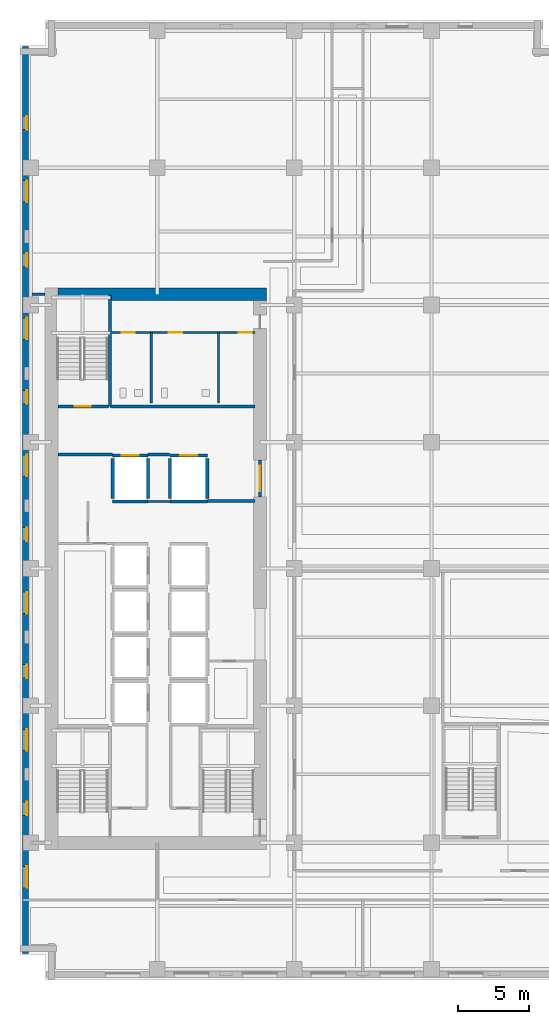
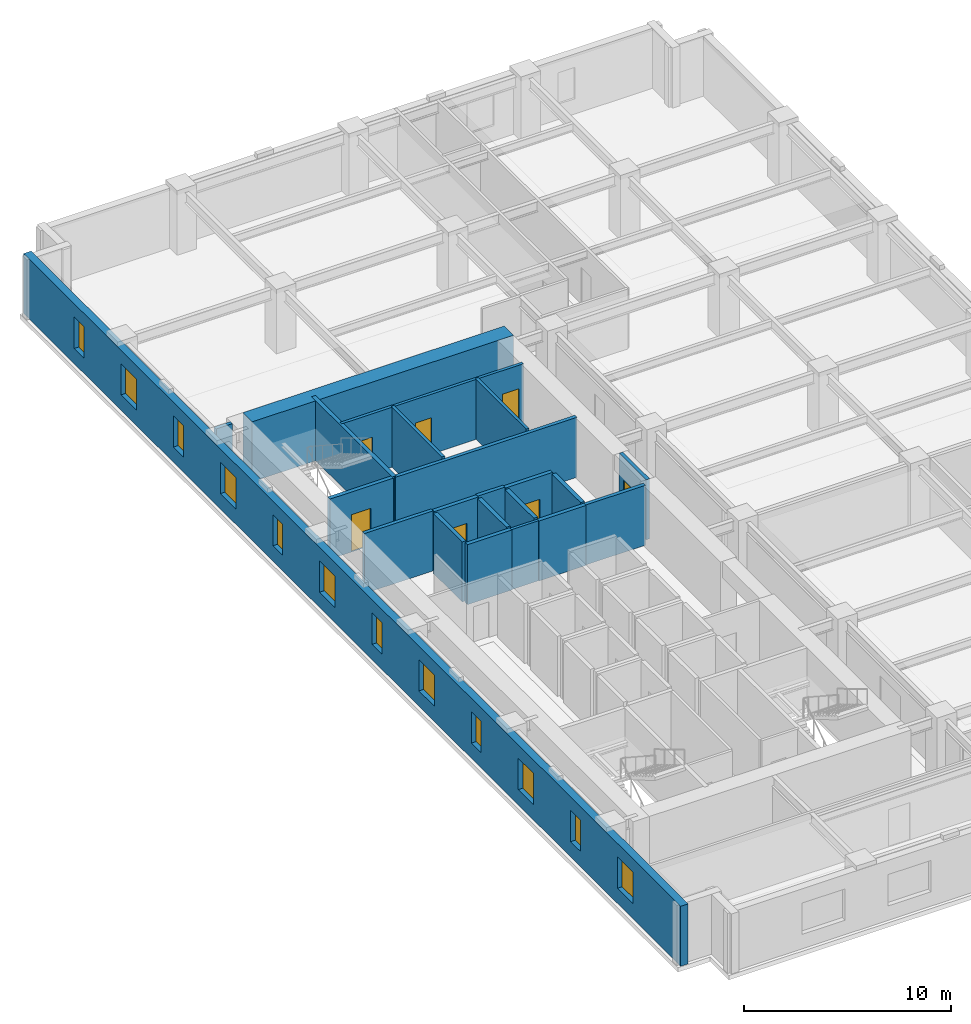
# One storey, part 6 of 13: 22 walls, 12 windows, 7 doors, 19 openings.
"""IFC4 building model written with IfcOpenShell, lengths in metres."""

from ifc_helpers import new_model, si_unit, direction, frame, frame_2d, origin, place, context, subcontext, project, spatial, rectangle, extrude, material, layer, layer_set, type_object, element, fill, save


model = new_model("IFC4")

# Units and contexts
model_context = context("Model", 3, precision=1e-05, world=origin(), true_north=direction((0.0, 1.0)))
body_context = subcontext(model_context, "Body", "Model", "MODEL_VIEW")
ifc_project = project(units=[si_unit("LENGTHUNIT", "METRE"), si_unit("AREAUNIT", "SQUARE_METRE"), si_unit("VOLUMEUNIT", "CUBIC_METRE"), si_unit("PLANEANGLEUNIT", "RADIAN"), si_unit("MASSUNIT", "GRAM", prefix="KILO")], contexts=[model_context])

# Site, building, storey
site_placement = place(None, origin())
site = spatial("IfcSite", under=ifc_project, at=site_placement, CompositionType="ELEMENT")
building_placement = place(site_placement, origin())
building = spatial("IfcBuilding", under=site, at=building_placement, Name="Norrvale University Quadrangle", CompositionType="ELEMENT")
storey_placement = place(building_placement, frame((0.0, 0.0, 66.0)))
storey = spatial("IfcBuildingStorey", under=building, at=storey_placement, Name="L16", CompositionType="ELEMENT", Elevation=66.0)

# Wall, openings, windows
ifc_material_1 = material(Name="Buff Norman Clay Brick Masonry", Category="masonry")
ifc_layer_1 = layer(ifc_material_1, 0.419921875, Name="Buff Norman Clay Brick Masonry")
ifc_layer_set_1 = layer_set([ifc_layer_1], Name="Buff Norman Clay Brick Masonry")
wall_type_1 = type_object("IfcWallType", Name="Wall Buff Brick 420", PredefinedType="SOLIDWALL", material=ifc_layer_set_1)
wall_1_placement = place(storey_placement, frame((0.389892578125, 65.360107421875, 0.0), z_axis=(0.0, 0.0, 1.0), x_axis=(0.0, -1.0, 0.0)))
wall_1 = element("IfcWall", 1, at=wall_1_placement, inside=storey, type_object=wall_type_1, Name="Exterior Brick Facade Wall L16-14.1", PredefinedType="SOLIDWALL", context=body_context, shape_type="SweptSolid", body=[
    extrude(rectangle(XDim=63.52001953125, YDim=0.419921875, at=frame_2d((31.760009765625, 0.0))), origin(), (0.0, 0.0, 1.0), 3.5400390625),
])
opening_1_placement = place(wall_1_placement, frame((4.885009765625, 0.0, 0.89990234375)))
opening_1 = element("IfcOpeningElement", 2, at=opening_1_placement, cuts=wall_1, Name="Opening W04", PredefinedType="OPENING", context=body_context, shape_type="SweptSolid", body=[
    extrude(rectangle(XDim=0.949951171875, YDim=1.85009765625, at=frame_2d((0.47509765625, 0.925048828125))), frame((0.0, 0.221923828125, 0.0), z_axis=(0.0, -1.0, 0.0), x_axis=(1.0, 0.0, 0.0)), (0.0, 0.0, 1.0), 0.44384765625),
])
opening_2_placement = place(wall_1_placement, frame((9.409912109375, 0.0, 0.89990234375)))
opening_2 = element("IfcOpeningElement", 3, at=opening_2_placement, cuts=wall_1, Name="Opening W03", PredefinedType="OPENING", context=body_context, shape_type="SweptSolid", body=[
    extrude(rectangle(XDim=1.5, YDim=1.85009765625, at=frame_2d((0.75, 0.925048828125))), frame((0.0, 0.221923828125, 0.0), z_axis=(0.0, -1.0, 0.0), x_axis=(1.0, 0.0, 0.0)), (0.0, 0.0, 1.0), 0.44384765625),
])
opening_3_placement = place(wall_1_placement, frame((14.485107421875, 0.0, 0.89990234375)))
opening_3 = element("IfcOpeningElement", 4, at=opening_3_placement, cuts=wall_1, Name="Opening W04", PredefinedType="OPENING", context=body_context, shape_type="SweptSolid", body=[
    extrude(rectangle(XDim=0.949951171875, YDim=1.85009765625, at=frame_2d((0.47509765625, 0.925048828125))), frame((0.0, 0.221923828125, 0.0), z_axis=(0.0, -1.0, 0.0), x_axis=(1.0, 0.0, 0.0)), (0.0, 0.0, 1.0), 0.44384765625),
])
opening_4_placement = place(wall_1_placement, frame((19.010009765625, 0.0, 0.89990234375)))
opening_4 = element("IfcOpeningElement", 5, at=opening_4_placement, cuts=wall_1, Name="Opening W03", PredefinedType="OPENING", context=body_context, shape_type="SweptSolid", body=[
    extrude(rectangle(XDim=1.5, YDim=1.85009765625, at=frame_2d((0.75, 0.925048828125))), frame((0.0, 0.221923828125, 0.0), z_axis=(0.0, -1.0, 0.0), x_axis=(1.0, 0.0, 0.0)), (0.0, 0.0, 1.0), 0.44384765625),
])
opening_5_placement = place(wall_1_placement, frame((24.0849609375, 0.0, 0.89990234375)))
opening_5 = element("IfcOpeningElement", 6, at=opening_5_placement, cuts=wall_1, Name="Opening W04", PredefinedType="OPENING", context=body_context, shape_type="SweptSolid", body=[
    extrude(rectangle(XDim=0.949951171875, YDim=1.85009765625, at=frame_2d((0.47509765625, 0.925048828125))), frame((0.0, 0.221923828125, 0.0), z_axis=(0.0, -1.0, 0.0), x_axis=(1.0, 0.0, 0.0)), (0.0, 0.0, 1.0), 0.44384765625),
])
opening_6_placement = place(wall_1_placement, frame((28.610107421875, 0.0, 0.89990234375)))
opening_6 = element("IfcOpeningElement", 7, at=opening_6_placement, cuts=wall_1, Name="Opening W03", PredefinedType="OPENING", context=body_context, shape_type="SweptSolid", body=[
    extrude(rectangle(XDim=1.5, YDim=1.85009765625, at=frame_2d((0.75, 0.925048828125))), frame((0.0, 0.221923828125, 0.0), z_axis=(0.0, -1.0, 0.0), x_axis=(1.0, 0.0, 0.0)), (0.0, 0.0, 1.0), 0.44384765625),
])
opening_7_placement = place(wall_1_placement, frame((33.68505859375, 0.0, 0.89990234375)))
opening_7 = element("IfcOpeningElement", 8, at=opening_7_placement, cuts=wall_1, Name="Opening W04", PredefinedType="OPENING", context=body_context, shape_type="SweptSolid", body=[
    extrude(rectangle(XDim=0.949951171875, YDim=1.85009765625, at=frame_2d((0.47509765625, 0.925048828125))), frame((0.0, 0.221923828125, 0.0), z_axis=(0.0, -1.0, 0.0), x_axis=(1.0, 0.0, 0.0)), (0.0, 0.0, 1.0), 0.44384765625),
])
opening_8_placement = place(wall_1_placement, frame((38.2099609375, 0.0, 0.89990234375)))
opening_8 = element("IfcOpeningElement", 9, at=opening_8_placement, cuts=wall_1, Name="Opening W03", PredefinedType="OPENING", context=body_context, shape_type="SweptSolid", body=[
    extrude(rectangle(XDim=1.5, YDim=1.85009765625, at=frame_2d((0.75, 0.925048828125))), frame((0.0, 0.221923828125, 0.0), z_axis=(0.0, -1.0, 0.0), x_axis=(1.0, 0.0, 0.0)), (0.0, 0.0, 1.0), 0.44384765625),
])
opening_9_placement = place(wall_1_placement, frame((43.284912109375, 0.0, 0.89990234375)))
opening_9 = element("IfcOpeningElement", 10, at=opening_9_placement, cuts=wall_1, Name="Opening W04", PredefinedType="OPENING", context=body_context, shape_type="SweptSolid", body=[
    extrude(rectangle(XDim=0.949951171875, YDim=1.85009765625, at=frame_2d((0.47509765625, 0.925048828125))), frame((0.0, 0.221923828125, 0.0), z_axis=(0.0, -1.0, 0.0), x_axis=(1.0, 0.0, 0.0)), (0.0, 0.0, 1.0), 0.44384765625),
])
opening_10_placement = place(wall_1_placement, frame((47.81005859375, 0.0, 0.89990234375)))
opening_10 = element("IfcOpeningElement", 11, at=opening_10_placement, cuts=wall_1, Name="Opening W03", PredefinedType="OPENING", context=body_context, shape_type="SweptSolid", body=[
    extrude(rectangle(XDim=1.5, YDim=1.85009765625, at=frame_2d((0.75, 0.925048828125))), frame((0.0, 0.221923828125, 0.0), z_axis=(0.0, -1.0, 0.0), x_axis=(1.0, 0.0, 0.0)), (0.0, 0.0, 1.0), 0.44384765625),
])
opening_11_placement = place(wall_1_placement, frame((52.885009765625, 0.0, 0.89990234375)))
opening_11 = element("IfcOpeningElement", 12, at=opening_11_placement, cuts=wall_1, Name="Opening W04", PredefinedType="OPENING", context=body_context, shape_type="SweptSolid", body=[
    extrude(rectangle(XDim=0.949951171875, YDim=1.85009765625, at=frame_2d((0.47509765625, 0.925048828125))), frame((0.0, 0.221923828125, 0.0), z_axis=(0.0, -1.0, 0.0), x_axis=(1.0, 0.0, 0.0)), (0.0, 0.0, 1.0), 0.44384765625),
])
opening_12_placement = place(wall_1_placement, frame((57.409912109375, 0.0, 0.89990234375)))
opening_12 = element("IfcOpeningElement", 13, at=opening_12_placement, cuts=wall_1, Name="Opening W03", PredefinedType="OPENING", context=body_context, shape_type="SweptSolid", body=[
    extrude(rectangle(XDim=1.5, YDim=1.85009765625, at=frame_2d((0.75, 0.925048828125))), frame((0.0, 0.221923828125, 0.0), z_axis=(0.0, -1.0, 0.0), x_axis=(1.0, 0.0, 0.0)), (0.0, 0.0, 1.0), 0.44384765625),
])
ifc_material_2 = material(Name="Triple Low-E Argon Glazing", Category="glass")
window_type_1 = type_object("IfcWindowType", Name="Window Narrow Pier 950x2300", PartitioningType="SINGLE_PANEL", PredefinedType="WINDOW", material=ifc_material_2)
window_1_placement = place(opening_1_placement, origin())
window_1 = element("IfcWindow", 14, at=window_1_placement, inside=storey, type_object=window_type_1, Name="Window Narrow Pier 950x2300 WIN-L16-E14-1-01", OverallHeight=1.85009765625, OverallWidth=0.949951171875, PartitioningType="SINGLE_PANEL", PredefinedType="WINDOW", context=body_context, shape_type="SweptSolid", body=[
    extrude(rectangle(XDim=0.949951171875, YDim=1.85009765625, at=frame_2d((0.47509765625, 0.925048828125))), frame((0.0, 0.110107421875, 0.0), z_axis=(0.0, -1.0, 0.0), x_axis=(1.0, 0.0, 0.0)), (0.0, 0.0, 1.0), 0.06005859375),
])
fill(opening_1, window_1)
window_2_placement = place(opening_3_placement, origin())
window_2 = element("IfcWindow", 15, at=window_2_placement, inside=storey, type_object=window_type_1, Name="Window Narrow Pier 950x2300 WIN-L16-E14-1-03", OverallHeight=1.85009765625, OverallWidth=0.949951171875, PartitioningType="SINGLE_PANEL", PredefinedType="WINDOW", context=body_context, shape_type="SweptSolid", body=[
    extrude(rectangle(XDim=0.949951171875, YDim=1.85009765625, at=frame_2d((0.47509765625, 0.925048828125))), frame((0.0, 0.110107421875, 0.0), z_axis=(0.0, -1.0, 0.0), x_axis=(1.0, 0.0, 0.0)), (0.0, 0.0, 1.0), 0.06005859375),
])
fill(opening_3, window_2)
window_3_placement = place(opening_5_placement, origin())
window_3 = element("IfcWindow", 16, at=window_3_placement, inside=storey, type_object=window_type_1, Name="Window Narrow Pier 950x2300 WIN-L16-E14-1-05", OverallHeight=1.85009765625, OverallWidth=0.949951171875, PartitioningType="SINGLE_PANEL", PredefinedType="WINDOW", context=body_context, shape_type="SweptSolid", body=[
    extrude(rectangle(XDim=0.949951171875, YDim=1.85009765625, at=frame_2d((0.47509765625, 0.925048828125))), frame((0.0, 0.110107421875, 0.0), z_axis=(0.0, -1.0, 0.0), x_axis=(1.0, 0.0, 0.0)), (0.0, 0.0, 1.0), 0.06005859375),
])
fill(opening_5, window_3)
window_4_placement = place(opening_7_placement, origin())
window_4 = element("IfcWindow", 17, at=window_4_placement, inside=storey, type_object=window_type_1, Name="Window Narrow Pier 950x2300 WIN-L16-E14-1-07", OverallHeight=1.85009765625, OverallWidth=0.949951171875, PartitioningType="SINGLE_PANEL", PredefinedType="WINDOW", context=body_context, shape_type="SweptSolid", body=[
    extrude(rectangle(XDim=0.949951171875, YDim=1.85009765625, at=frame_2d((0.47509765625, 0.925048828125))), frame((0.0, 0.110107421875, 0.0), z_axis=(0.0, -1.0, 0.0), x_axis=(1.0, 0.0, 0.0)), (0.0, 0.0, 1.0), 0.06005859375),
])
fill(opening_7, window_4)
window_5_placement = place(opening_9_placement, origin())
window_5 = element("IfcWindow", 18, at=window_5_placement, inside=storey, type_object=window_type_1, Name="Window Narrow Pier 950x2300 WIN-L16-E14-1-09", OverallHeight=1.85009765625, OverallWidth=0.949951171875, PartitioningType="SINGLE_PANEL", PredefinedType="WINDOW", context=body_context, shape_type="SweptSolid", body=[
    extrude(rectangle(XDim=0.949951171875, YDim=1.85009765625, at=frame_2d((0.47509765625, 0.925048828125))), frame((0.0, 0.110107421875, 0.0), z_axis=(0.0, -1.0, 0.0), x_axis=(1.0, 0.0, 0.0)), (0.0, 0.0, 1.0), 0.06005859375),
])
fill(opening_9, window_5)
window_6_placement = place(opening_11_placement, origin())
window_6 = element("IfcWindow", 19, at=window_6_placement, inside=storey, type_object=window_type_1, Name="Window Narrow Pier 950x2300 WIN-L16-E14-1-11", OverallHeight=1.85009765625, OverallWidth=0.949951171875, PartitioningType="SINGLE_PANEL", PredefinedType="WINDOW", context=body_context, shape_type="SweptSolid", body=[
    extrude(rectangle(XDim=0.949951171875, YDim=1.85009765625, at=frame_2d((0.47509765625, 0.925048828125))), frame((0.0, 0.110107421875, 0.0), z_axis=(0.0, -1.0, 0.0), x_axis=(1.0, 0.0, 0.0)), (0.0, 0.0, 1.0), 0.06005859375),
])
fill(opening_11, window_6)
window_type_2 = type_object("IfcWindowType", Name="Window Studio 1500x2300", PartitioningType="DOUBLE_PANEL_VERTICAL", PredefinedType="WINDOW", material=ifc_material_2)
window_7_placement = place(opening_2_placement, origin())
window_7 = element("IfcWindow", 20, at=window_7_placement, inside=storey, type_object=window_type_2, Name="Window Studio 1500x2300 WIN-L16-E14-1-02", OverallHeight=1.85009765625, OverallWidth=1.5, PartitioningType="DOUBLE_PANEL_VERTICAL", PredefinedType="WINDOW", context=body_context, shape_type="SweptSolid", body=[
    extrude(rectangle(XDim=1.5, YDim=1.85009765625, at=frame_2d((0.75, 0.925048828125))), frame((0.0, 0.110107421875, 0.0), z_axis=(0.0, -1.0, 0.0), x_axis=(1.0, 0.0, 0.0)), (0.0, 0.0, 1.0), 0.06005859375),
])
fill(opening_2, window_7)
window_8_placement = place(opening_4_placement, origin())
window_8 = element("IfcWindow", 21, at=window_8_placement, inside=storey, type_object=window_type_2, Name="Window Studio 1500x2300 WIN-L16-E14-1-04", OverallHeight=1.85009765625, OverallWidth=1.5, PartitioningType="DOUBLE_PANEL_VERTICAL", PredefinedType="WINDOW", context=body_context, shape_type="SweptSolid", body=[
    extrude(rectangle(XDim=1.5, YDim=1.85009765625, at=frame_2d((0.75, 0.925048828125))), frame((0.0, 0.110107421875, 0.0), z_axis=(0.0, -1.0, 0.0), x_axis=(1.0, 0.0, 0.0)), (0.0, 0.0, 1.0), 0.06005859375),
])
fill(opening_4, window_8)
window_9_placement = place(opening_6_placement, origin())
window_9 = element("IfcWindow", 22, at=window_9_placement, inside=storey, type_object=window_type_2, Name="Window Studio 1500x2300 WIN-L16-E14-1-06", OverallHeight=1.85009765625, OverallWidth=1.5, PartitioningType="DOUBLE_PANEL_VERTICAL", PredefinedType="WINDOW", context=body_context, shape_type="SweptSolid", body=[
    extrude(rectangle(XDim=1.5, YDim=1.85009765625, at=frame_2d((0.75, 0.925048828125))), frame((0.0, 0.110107421875, 0.0), z_axis=(0.0, -1.0, 0.0), x_axis=(1.0, 0.0, 0.0)), (0.0, 0.0, 1.0), 0.06005859375),
])
fill(opening_6, window_9)
window_10_placement = place(opening_8_placement, origin())
window_10 = element("IfcWindow", 23, at=window_10_placement, inside=storey, type_object=window_type_2, Name="Window Studio 1500x2300 WIN-L16-E14-1-08", OverallHeight=1.85009765625, OverallWidth=1.5, PartitioningType="DOUBLE_PANEL_VERTICAL", PredefinedType="WINDOW", context=body_context, shape_type="SweptSolid", body=[
    extrude(rectangle(XDim=1.5, YDim=1.85009765625, at=frame_2d((0.75, 0.925048828125))), frame((0.0, 0.110107421875, 0.0), z_axis=(0.0, -1.0, 0.0), x_axis=(1.0, 0.0, 0.0)), (0.0, 0.0, 1.0), 0.06005859375),
])
fill(opening_8, window_10)
window_11_placement = place(opening_10_placement, origin())
window_11 = element("IfcWindow", 24, at=window_11_placement, inside=storey, type_object=window_type_2, Name="Window Studio 1500x2300 WIN-L16-E14-1-10", OverallHeight=1.85009765625, OverallWidth=1.5, PartitioningType="DOUBLE_PANEL_VERTICAL", PredefinedType="WINDOW", context=body_context, shape_type="SweptSolid", body=[
    extrude(rectangle(XDim=1.5, YDim=1.85009765625, at=frame_2d((0.75, 0.925048828125))), frame((0.0, 0.110107421875, 0.0), z_axis=(0.0, -1.0, 0.0), x_axis=(1.0, 0.0, 0.0)), (0.0, 0.0, 1.0), 0.06005859375),
])
fill(opening_10, window_11)
window_12_placement = place(opening_12_placement, origin())
window_12 = element("IfcWindow", 25, at=window_12_placement, inside=storey, type_object=window_type_2, Name="Window Studio 1500x2300 WIN-L16-E14-1-12", OverallHeight=1.85009765625, OverallWidth=1.5, PartitioningType="DOUBLE_PANEL_VERTICAL", PredefinedType="WINDOW", context=body_context, shape_type="SweptSolid", body=[
    extrude(rectangle(XDim=1.5, YDim=1.85009765625, at=frame_2d((0.75, 0.925048828125))), frame((0.0, 0.110107421875, 0.0), z_axis=(0.0, -1.0, 0.0), x_axis=(1.0, 0.0, 0.0)), (0.0, 0.0, 1.0), 0.06005859375),
])
fill(opening_12, window_12)

# Walls
ifc_material_3 = material(Name="Concrete C80/95", Category="concrete")
ifc_layer_2 = layer(ifc_material_3, 0.89990234375, Name="Concrete C80/95")
ifc_layer_set_2 = layer_set([ifc_layer_2], Name="Concrete C80/95")
wall_type_2 = type_object("IfcWallType", Name="Wall Core 900", PredefinedType="SHEAR", material=ifc_layer_set_2)
wall_2_placement = place(storey_placement, frame((2.64990234375, 48.0, 0.0), z_axis=(0.0, 0.0, 1.0), x_axis=(1.0, 0.0, 0.0)))
element("IfcWall", 26, at=wall_2_placement, inside=storey, type_object=wall_type_2, Name="Tower Core Shear Wall L16-N", PredefinedType="SHEAR", context=body_context, shape_type="SweptSolid", body=[
    extrude(rectangle(XDim=14.60009765625, YDim=0.89990234375, at=frame_2d((7.300048828125, 0.0))), origin(), (0.0, 0.0, 1.0), 3.5400390625),
])
ifc_material_4 = material(Name="Fire-Rated Gypsum Stud Partition")
ifc_layer_3 = layer(ifc_material_4, 0.14990234375, Name="Fire-Rated Gypsum Stud Partition")
ifc_layer_set_3 = layer_set([ifc_layer_3], Name="Fire-Rated Gypsum Stud Partition")
wall_type_3 = type_object("IfcWallType", Name="Wall Gypsum Corridor 150", PredefinedType="PARTITIONING", material=ifc_layer_set_3)
wall_3_placement = place(storey_placement, frame((8.965087890625, 33.489990234375, 0.0), z_axis=(0.0, 0.0, 1.0), x_axis=(1.0, 0.0, 0.0)))
element("IfcWall", 27, at=wall_3_placement, inside=storey, type_object=wall_type_3, Name="Interior Partition WL-L16-LL3", PredefinedType="PARTITIONING", context=body_context, shape_type="SweptSolid", body=[
    extrude(rectangle(XDim=1.52001953125, YDim=0.14990234375, at=frame_2d((0.760009765625, 0.0))), origin(), (0.0, 0.0, 1.0), 3.5400390625),
])

# Wall, openings, doors
ifc_material_5 = material(Name="Sanitary Chase Gypsum Partition")
ifc_layer_4 = layer(ifc_material_5, 0.1650390625, Name="Sanitary Chase Gypsum Partition")
ifc_layer_set_4 = layer_set([ifc_layer_4], Name="Sanitary Chase Gypsum Partition")
wall_type_4 = type_object("IfcWallType", Name="Wall Gypsum Sanitary 165", PredefinedType="PLUMBINGWALL", material=ifc_layer_set_4)
wall_4_placement = place(storey_placement, frame((6.320068359375, 45.320068359375, 0.0), z_axis=(0.0, 0.0, 1.0), x_axis=(1.0, 0.0, 0.0)))
wall_4 = element("IfcWall", 28, at=wall_4_placement, inside=storey, type_object=wall_type_4, Name="Interior Partition WL-L16-WCN", PredefinedType="PLUMBINGWALL", context=body_context, shape_type="SweptSolid", body=[
    extrude(rectangle(XDim=10.1298828125, YDim=0.1650390625, at=frame_2d((5.06494140625, 0.0))), origin(), (0.0, 0.0, 1.0), 3.5400390625),
])
opening_13_placement = place(wall_4_placement, frame((0.800048828125, 0.0, 0.0)))
opening_13 = element("IfcOpeningElement", 29, at=opening_13_placement, cuts=wall_4, Name="Opening D08", PredefinedType="OPENING", context=body_context, shape_type="SweptSolid", body=[
    extrude(rectangle(XDim=0.919921875, YDim=2.14990234375, at=frame_2d((0.4599609375, 1.074951171875))), frame((0.0, 0.094482421875, 0.0), z_axis=(0.0, -1.0, 0.0), x_axis=(1.0, 0.0, 0.0)), (0.0, 0.0, 1.0), 0.18896484375),
])
opening_14_placement = place(wall_4_placement, frame((4.10009765625, 0.0, 0.0)))
opening_14 = element("IfcOpeningElement", 30, at=opening_14_placement, cuts=wall_4, Name="Opening D08", PredefinedType="OPENING", context=body_context, shape_type="SweptSolid", body=[
    extrude(rectangle(XDim=0.919921875, YDim=2.14990234375, at=frame_2d((0.4599609375, 1.074951171875))), frame((0.0, 0.094482421875, 0.0), z_axis=(0.0, -1.0, 0.0), x_axis=(1.0, 0.0, 0.0)), (0.0, 0.0, 1.0), 0.18896484375),
])
opening_15_placement = place(wall_4_placement, frame((8.97998046875, 0.0, 0.0)))
opening_15 = element("IfcOpeningElement", 31, at=opening_15_placement, cuts=wall_4, Name="Opening D08", PredefinedType="OPENING", context=body_context, shape_type="SweptSolid", body=[
    extrude(rectangle(XDim=0.919921875, YDim=2.14990234375, at=frame_2d((0.4599609375, 1.074951171875))), frame((0.0, 0.094482421875, 0.0), z_axis=(0.0, -1.0, 0.0), x_axis=(1.0, 0.0, 0.0)), (0.0, 0.0, 1.0), 0.18896484375),
])
ifc_material_6 = material(Name="Laminate Washroom Door", Category="wood")
door_type_1 = type_object("IfcDoorType", Name="Door Washroom 920x2150", OperationType="NOTDEFINED", PredefinedType="DOOR", material=ifc_material_6)
door_1_placement = place(opening_13_placement, origin())
door_1 = element("IfcDoor", 32, at=door_1_placement, inside=storey, type_object=door_type_1, Name="Door Washroom 920x2150 DR-L16-WC1", OperationType="SINGLE_SWING_LEFT", OverallHeight=2.14990234375, OverallWidth=0.919921875, PredefinedType="DOOR", context=body_context, shape_type="SweptSolid", body=[
    extrude(rectangle(XDim=0.919921875, YDim=2.14990234375, at=frame_2d((0.4599609375, 1.074951171875))), frame((0.0, 0.02490234375, 0.0), z_axis=(0.0, -1.0, 0.0), x_axis=(1.0, 0.0, 0.0)), (0.0, 0.0, 1.0), 0.050048828125),
])
fill(opening_13, door_1)
door_2_placement = place(opening_14_placement, origin())
door_2 = element("IfcDoor", 33, at=door_2_placement, inside=storey, type_object=door_type_1, Name="Door Washroom 920x2150 DR-L16-WC2", OperationType="SINGLE_SWING_RIGHT", OverallHeight=2.14990234375, OverallWidth=0.919921875, PredefinedType="DOOR", context=body_context, shape_type="SweptSolid", body=[
    extrude(rectangle(XDim=0.919921875, YDim=2.14990234375, at=frame_2d((0.4599609375, 1.074951171875))), frame((0.0, 0.02490234375, 0.0), z_axis=(0.0, -1.0, 0.0), x_axis=(1.0, 0.0, 0.0)), (0.0, 0.0, 1.0), 0.050048828125),
])
fill(opening_14, door_2)
door_3_placement = place(opening_15_placement, origin())
door_3 = element("IfcDoor", 34, at=door_3_placement, inside=storey, type_object=door_type_1, Name="Door Washroom 920x2150 DR-L16-WC3", OperationType="SINGLE_SWING_LEFT", OverallHeight=2.14990234375, OverallWidth=0.919921875, PredefinedType="DOOR", context=body_context, shape_type="SweptSolid", body=[
    extrude(rectangle(XDim=0.919921875, YDim=2.14990234375, at=frame_2d((0.4599609375, 1.074951171875))), frame((0.0, 0.02490234375, 0.0), z_axis=(0.0, -1.0, 0.0), x_axis=(1.0, 0.0, 0.0)), (0.0, 0.0, 1.0), 0.050048828125),
])
fill(opening_15, door_3)

# Walls
for number, where, z_axis, x_axis, name in (
    (35, (9.199951171875, 40.39990234375, 0.0), (0.0, 0.0, 1.0), (0.0, 1.0, 0.0), "Interior Partition WL-L16-WCM1"),
    (36, (13.89990234375, 40.39990234375, 0.0), (0.0, 0.0, 1.0), (0.0, 1.0, 0.0), "Interior Partition WL-L16-WCM2"),
):
    element("IfcWall", number, at=place(storey_placement, frame(where, z_axis=z_axis, x_axis=x_axis)), inside=storey, type_object=wall_type_4, Name=name, PredefinedType="PLUMBINGWALL", context=body_context, shape_type="SweptSolid", body=[
        extrude(rectangle(XDim=4.920166015625, YDim=0.1650390625, at=frame_2d((2.4599609375, 0.0))), origin(), (0.0, 0.0, 1.0), 3.5400390625),
    ])
ifc_material_7 = material(Name="Concrete Blockwork 20 MPa Rated Wall", Category="masonry")
ifc_layer_5 = layer(ifc_material_7, 0.199951171875, Name="Concrete Blockwork 20 MPa Rated Wall")
ifc_layer_set_5 = layer_set([ifc_layer_5], Name="Concrete Blockwork 20 MPa Rated Wall")
wall_type_5 = type_object("IfcWallType", Name="Wall Lobby 200", PredefinedType="SOLIDWALL", material=ifc_layer_set_5)
wall_5_placement = place(storey_placement, frame((2.64990234375, 36.780029296875, 0.0), z_axis=(0.0, 0.0, 1.0), x_axis=(1.0, 0.0, 0.0)))
element("IfcWall", 37, at=wall_5_placement, inside=storey, type_object=wall_type_5, Name="Interior Partition WL-L16-FF1", PredefinedType="SOLIDWALL", context=body_context, shape_type="SweptSolid", body=[
    extrude(rectangle(XDim=3.830078125, YDim=0.199951171875, at=frame_2d((1.9150390625, 0.0))), origin(), (0.0, 0.0, 1.0), 3.5400390625),
])
wall_6_placement = place(storey_placement, frame((8.969970703125, 36.780029296875, 0.0), z_axis=(0.0, 0.0, 1.0), x_axis=(1.0, 0.0, 0.0)))
element("IfcWall", 38, at=wall_6_placement, inside=storey, type_object=wall_type_5, Name="Interior Partition WL-L16-FF2", PredefinedType="SOLIDWALL", context=body_context, shape_type="SweptSolid", body=[
    extrude(rectangle(XDim=1.510009765625, YDim=0.199951171875, at=frame_2d((0.7548828125, 0.0))), origin(), (0.0, 0.0, 1.0), 3.5400390625),
])
wall_7_placement = place(storey_placement, frame((13.1201171875, 33.52001953125, 0.0), z_axis=(0.0, 0.0, 1.0), x_axis=(1.0, 0.0, 0.0)))
element("IfcWall", 39, at=wall_7_placement, inside=storey, type_object=wall_type_5, Name="Interior Partition WL-L16-FF3", PredefinedType="SOLIDWALL", context=body_context, shape_type="SweptSolid", body=[
    extrude(rectangle(XDim=3.329833984375, YDim=0.199951171875, at=frame_2d((1.6650390625, 0.0))), origin(), (0.0, 0.0, 1.0), 3.5400390625),
])
wall_8_placement = place(storey_placement, frame((6.320068359375, 40.139892578125, 0.0), z_axis=(0.0, 0.0, 1.0), x_axis=(1.0, 0.0, 0.0)))
element("IfcWall", 40, at=wall_8_placement, inside=storey, type_object=wall_type_5, Name="Interior Partition WL-L16-FF4", PredefinedType="SOLIDWALL", context=body_context, shape_type="SweptSolid", body=[
    extrude(rectangle(XDim=10.1298828125, YDim=0.199951171875, at=frame_2d((5.06494140625, 0.0))), origin(), (0.0, 0.0, 1.0), 3.5400390625),
])

# Wall, opening, door
wall_9_placement = place(storey_placement, frame((16.800048828125, 33.800048828125, 0.0), z_axis=(0.0, 0.0, 1.0), x_axis=(0.0, 1.0, 0.0)))
wall_9 = element("IfcWall", 41, at=wall_9_placement, inside=storey, type_object=wall_type_5, Name="Interior Partition WL-L16-FFP", PredefinedType="SOLIDWALL", context=body_context, shape_type="SweptSolid", body=[
    extrude(rectangle(XDim=2.599853515625, YDim=0.199951171875, at=frame_2d((1.2998046875, 0.0))), origin(), (0.0, 0.0, 1.0), 3.5400390625),
])
opening_16_placement = place(wall_9_placement, frame((0.39990234375, 0.0, 0.0)))
opening_16 = element("IfcOpeningElement", 42, at=opening_16_placement, cuts=wall_9, Name="Opening D03", PredefinedType="OPENING", context=body_context, shape_type="SweptSolid", body=[
    extrude(rectangle(XDim=1.800048828125, YDim=2.199951171875, at=frame_2d((0.89990234375, 1.10009765625))), frame((0.0, 0.112060546875, 0.0), z_axis=(0.0, -1.0, 0.0), x_axis=(1.0, 0.0, 0.0)), (0.0, 0.0, 1.0), 0.223876953125),
])
ifc_material_8 = material(Name="Hollow Steel 350W Fire Door", Category="steel")
door_type_2 = type_object("IfcDoorType", Name="Door Fire Lobby 1800x2200", OperationType="DOUBLE_DOOR_SINGLE_SWING", PredefinedType="DOOR", material=ifc_material_8)
door_4_placement = place(opening_16_placement, origin())
door_4 = element("IfcDoor", 43, at=door_4_placement, inside=storey, type_object=door_type_2, Name="Door Fire Lobby 1800x2200 DR-L16-FFP", OperationType="DOUBLE_DOOR_SINGLE_SWING", OverallHeight=2.199951171875, OverallWidth=1.800048828125, PredefinedType="DOOR", context=body_context, shape_type="SweptSolid", body=[
    extrude(rectangle(XDim=1.800048828125, YDim=2.199951171875, at=frame_2d((0.89990234375, 1.10009765625))), frame((0.0, 0.02490234375, 0.0), z_axis=(0.0, -1.0, 0.0), x_axis=(1.0, 0.0, 0.0)), (0.0, 0.0, 1.0), 0.050048828125),
])
fill(opening_16, door_4)

# Wall
wall_10_placement = place(storey_placement, frame((0.85009765625, 48.0, 0.0), z_axis=(0.0, 0.0, 1.0), x_axis=(1.0, 0.0, 0.0)))
element("IfcWall", 44, at=wall_10_placement, inside=storey, type_object=wall_type_5, Name="Interior Partition WL-L16-CWRET-N", PredefinedType="SOLIDWALL", context=body_context, shape_type="SweptSolid", body=[
    extrude(rectangle(XDim=0.89501953125, YDim=0.199951171875, at=frame_2d((0.447509765625, 0.0))), origin(), (0.0, 0.0, 1.0), 3.5400390625),
])

# Wall, opening, door
ifc_material_9 = material(Name="Concrete Blockwork 20 MPa Fire Shaft", Category="masonry")
ifc_layer_6 = layer(ifc_material_9, 0.219970703125, Name="Concrete Blockwork 20 MPa Fire Shaft")
ifc_layer_set_6 = layer_set([ifc_layer_6], Name="Concrete Blockwork 20 MPa Fire Shaft")
wall_type_6 = type_object("IfcWallType", Name="Wall Shaft 220", PredefinedType="SOLIDWALL", material=ifc_layer_set_6)
wall_11_placement = place(storey_placement, frame((2.64990234375, 40.139892578125, 0.0), z_axis=(0.0, 0.0, 1.0), x_axis=(1.0, 0.0, 0.0)))
wall_11 = element("IfcWall", 45, at=wall_11_placement, inside=storey, type_object=wall_type_6, Name="Stair ST-02 South Shaft Wall L16", PredefinedType="SOLIDWALL", context=body_context, shape_type="SweptSolid", body=[
    extrude(rectangle(XDim=3.550048828125, YDim=0.219970703125, at=frame_2d((1.77490234375, 0.0))), origin(), (0.0, 0.0, 1.0), 3.5400390625),
])
opening_17_placement = place(wall_11_placement, frame((1.199951171875, 0.0, 0.0)))
opening_17 = element("IfcOpeningElement", 46, at=opening_17_placement, cuts=wall_11, Name="Opening D02", PredefinedType="OPENING", context=body_context, shape_type="SweptSolid", body=[
    extrude(rectangle(XDim=1.10009765625, YDim=2.199951171875, at=frame_2d((0.550048828125, 1.10009765625))), frame((0.0, 0.1220703125, 0.0), z_axis=(0.0, -1.0, 0.0), x_axis=(1.0, 0.0, 0.0)), (0.0, 0.0, 1.0), 0.243896484375),
])
door_type_3 = type_object("IfcDoorType", Name="Door Stair Exit 1100x2200", OperationType="NOTDEFINED", PredefinedType="DOOR", material=ifc_material_8)
door_5_placement = place(opening_17_placement, origin())
door_5 = element("IfcDoor", 47, at=door_5_placement, inside=storey, type_object=door_type_3, Name="Door Stair Exit 1100x2200 DR-L16-ST02", OperationType="SINGLE_SWING_LEFT", OverallHeight=2.199951171875, OverallWidth=1.10009765625, PredefinedType="DOOR", context=body_context, shape_type="SweptSolid", body=[
    extrude(rectangle(XDim=1.10009765625, YDim=2.199951171875, at=frame_2d((0.550048828125, 1.10009765625))), frame((0.0, 0.02490234375, 0.0), z_axis=(0.0, -1.0, 0.0), x_axis=(1.0, 0.0, 0.0)), (0.0, 0.0, 1.0), 0.050048828125),
])
fill(opening_17, door_5)

# Walls
wall_12_placement = place(storey_placement, frame((6.31005859375, 40.139892578125, 0.0), z_axis=(0.0, 0.0, 1.0), x_axis=(0.0, 1.0, 0.0)))
element("IfcWall", 48, at=wall_12_placement, inside=storey, type_object=wall_type_6, Name="Stair ST-02 East Shaft Wall L16", PredefinedType="SOLIDWALL", context=body_context, shape_type="SweptSolid", body=[
    extrude(rectangle(XDim=7.81005859375, YDim=0.219970703125, at=frame_2d((3.905029296875, 0.0))), origin(), (0.0, 0.0, 1.0), 3.5400390625),
])
for number, where, z_axis, x_axis, name in (
    (49, (6.489990234375, 33.7099609375, 0.0), (0.0, 0.0, 1.0), (0.0, 1.0, 0.0), "Hoistway FFL-01 West Wall L16"),
    (50, (8.9599609375, 33.7099609375, 0.0), (0.0, 0.0, 1.0), (0.0, 1.0, 0.0), "Hoistway FFL-01 East Wall L16"),
):
    element("IfcWall", number, at=place(storey_placement, frame(where, z_axis=z_axis, x_axis=x_axis)), inside=storey, type_object=wall_type_6, Name=name, PredefinedType="SOLIDWALL", context=body_context, shape_type="SweptSolid", body=[
        extrude(rectangle(XDim=2.780029296875, YDim=0.219970703125, at=frame_2d((1.39013671875, 0.0))), origin(), (0.0, 0.0, 1.0), 3.5400390625),
    ])
wall_13_placement = place(storey_placement, frame((6.489990234375, 33.489990234375, 0.0), z_axis=(0.0, 0.0, 1.0), x_axis=(1.0, 0.0, 0.0)))
element("IfcWall", 51, at=wall_13_placement, inside=storey, type_object=wall_type_6, Name="Hoistway FFL-01 South Wall L16", PredefinedType="SOLIDWALL", context=body_context, shape_type="SweptSolid", body=[
    extrude(rectangle(XDim=2.469970703125, YDim=0.219970703125, at=frame_2d((1.23486328125, 0.0))), origin(), (0.0, 0.0, 1.0), 3.5400390625),
])

# Wall, opening, door
wall_14_placement = place(storey_placement, frame((6.489990234375, 36.7099609375, 0.0), z_axis=(0.0, 0.0, 1.0), x_axis=(1.0, 0.0, 0.0)))
wall_14 = element("IfcWall", 52, at=wall_14_placement, inside=storey, type_object=wall_type_6, Name="Hoistway FFL-01 North Wall L16", PredefinedType="SOLIDWALL", context=body_context, shape_type="SweptSolid", body=[
    extrude(rectangle(XDim=2.469970703125, YDim=0.219970703125, at=frame_2d((1.23486328125, 0.0))), origin(), (0.0, 0.0, 1.0), 3.5400390625),
])
opening_18_placement = place(wall_14_placement, frame((0.635009765625, 0.0, 0.0)))
opening_18 = element("IfcOpeningElement", 53, at=opening_18_placement, cuts=wall_14, Name="Opening LD2", PredefinedType="OPENING", context=body_context, shape_type="SweptSolid", body=[
    extrude(rectangle(XDim=1.199951171875, YDim=2.199951171875, at=frame_2d((0.60009765625, 1.10009765625))), frame((0.0, 0.1220703125, 0.0), z_axis=(0.0, -1.0, 0.0), x_axis=(1.0, 0.0, 0.0)), (0.0, 0.0, 1.0), 0.243896484375),
])
ifc_material_10 = material(Name="Stainless Steel 316L Firefighter Lift Door", Category="steel")
door_type_4 = type_object("IfcDoorType", Name="Door Fire Lift 1200x2200", OperationType="DOUBLE_DOOR_SLIDING", PredefinedType="DOOR", material=ifc_material_10)
door_6_placement = place(opening_18_placement, origin())
door_6 = element("IfcDoor", 54, at=door_6_placement, inside=storey, type_object=door_type_4, Name="Elevator Landing Door DR-L16-FFL-01", OperationType="DOUBLE_DOOR_SLIDING", OverallHeight=2.199951171875, OverallWidth=1.199951171875, PredefinedType="DOOR", context=body_context, shape_type="SweptSolid", body=[
    extrude(rectangle(XDim=1.199951171875, YDim=2.199951171875, at=frame_2d((0.60009765625, 1.10009765625))), frame((0.0, 0.02490234375, 0.0), z_axis=(0.0, -1.0, 0.0), x_axis=(1.0, 0.0, 0.0)), (0.0, 0.0, 1.0), 0.050048828125),
])
fill(opening_18, door_6)

# Walls
for number, where, z_axis, x_axis, name in (
    (55, (10.489990234375, 33.7099609375, 0.0), (0.0, 0.0, 1.0), (0.0, 1.0, 0.0), "Hoistway FFL-02 West Wall L16"),
    (56, (13.110107421875, 33.7099609375, 0.0), (0.0, 0.0, 1.0), (0.0, 1.0, 0.0), "Hoistway FFL-02 East Wall L16"),
):
    element("IfcWall", number, at=place(storey_placement, frame(where, z_axis=z_axis, x_axis=x_axis)), inside=storey, type_object=wall_type_6, Name=name, PredefinedType="SOLIDWALL", context=body_context, shape_type="SweptSolid", body=[
        extrude(rectangle(XDim=2.780029296875, YDim=0.219970703125, at=frame_2d((1.39013671875, 0.0))), origin(), (0.0, 0.0, 1.0), 3.5400390625),
    ])
wall_15_placement = place(storey_placement, frame((10.489990234375, 33.489990234375, 0.0), z_axis=(0.0, 0.0, 1.0), x_axis=(1.0, 0.0, 0.0)))
element("IfcWall", 57, at=wall_15_placement, inside=storey, type_object=wall_type_6, Name="Hoistway FFL-02 South Wall L16", PredefinedType="SOLIDWALL", context=body_context, shape_type="SweptSolid", body=[
    extrude(rectangle(XDim=2.6201171875, YDim=0.219970703125, at=frame_2d((1.31005859375, 0.0))), origin(), (0.0, 0.0, 1.0), 3.5400390625),
])

# Wall, opening, door
wall_16_placement = place(storey_placement, frame((10.489990234375, 36.7099609375, 0.0), z_axis=(0.0, 0.0, 1.0), x_axis=(1.0, 0.0, 0.0)))
wall_16 = element("IfcWall", 58, at=wall_16_placement, inside=storey, type_object=wall_type_6, Name="Hoistway FFL-02 North Wall L16", PredefinedType="SOLIDWALL", context=body_context, shape_type="SweptSolid", body=[
    extrude(rectangle(XDim=2.6201171875, YDim=0.219970703125, at=frame_2d((1.31005859375, 0.0))), origin(), (0.0, 0.0, 1.0), 3.5400390625),
])
opening_19_placement = place(wall_16_placement, frame((0.7099609375, 0.0, 0.0)))
opening_19 = element("IfcOpeningElement", 59, at=opening_19_placement, cuts=wall_16, Name="Opening LD2", PredefinedType="OPENING", context=body_context, shape_type="SweptSolid", body=[
    extrude(rectangle(XDim=1.199951171875, YDim=2.199951171875, at=frame_2d((0.60009765625, 1.10009765625))), frame((0.0, 0.1220703125, 0.0), z_axis=(0.0, -1.0, 0.0), x_axis=(1.0, 0.0, 0.0)), (0.0, 0.0, 1.0), 0.243896484375),
])
door_7_placement = place(opening_19_placement, origin())
door_7 = element("IfcDoor", 60, at=door_7_placement, inside=storey, type_object=door_type_4, Name="Elevator Landing Door DR-L16-FFL-02", OperationType="DOUBLE_DOOR_SLIDING", OverallHeight=2.199951171875, OverallWidth=1.199951171875, PredefinedType="DOOR", context=body_context, shape_type="SweptSolid", body=[
    extrude(rectangle(XDim=1.199951171875, YDim=2.199951171875, at=frame_2d((0.60009765625, 1.10009765625))), frame((0.0, 0.02490234375, 0.0), z_axis=(0.0, -1.0, 0.0), x_axis=(1.0, 0.0, 0.0)), (0.0, 0.0, 1.0), 0.050048828125),
])
fill(opening_19, door_7)

save(model, "model.ifc")
